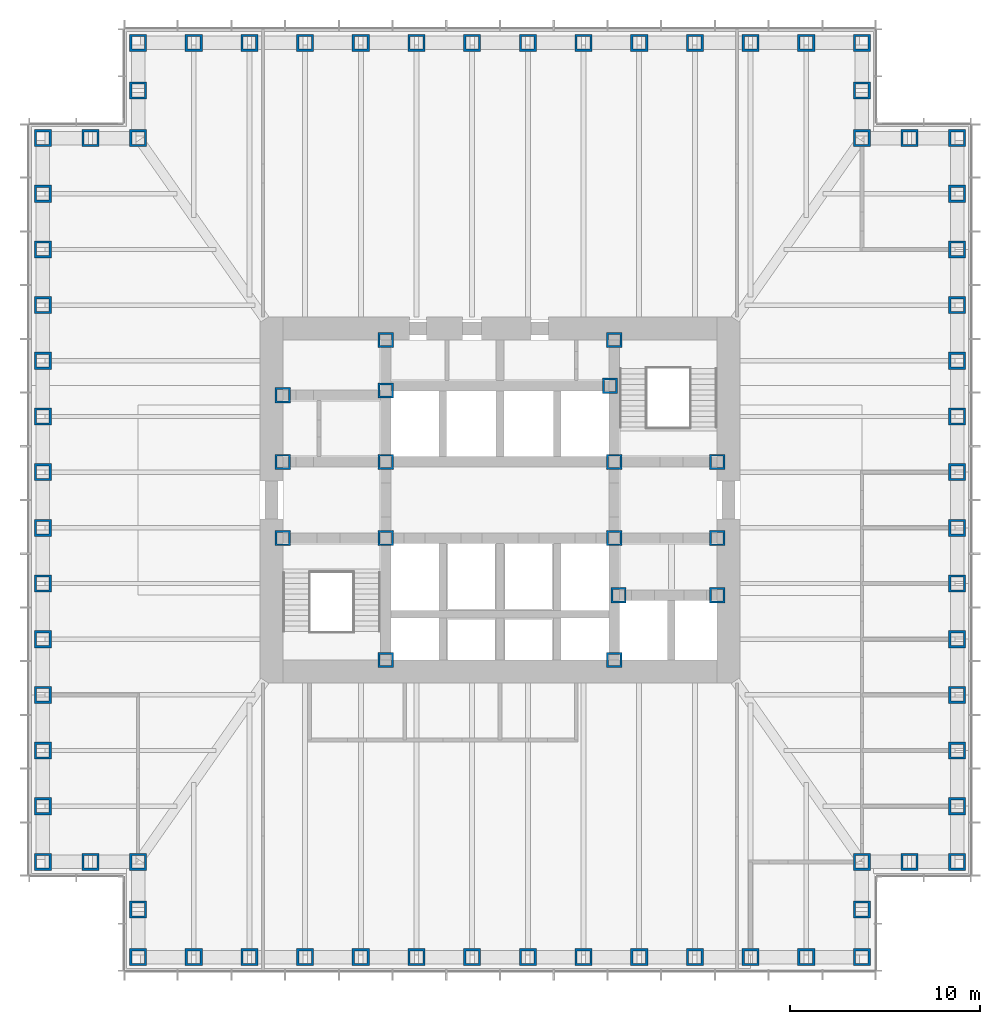
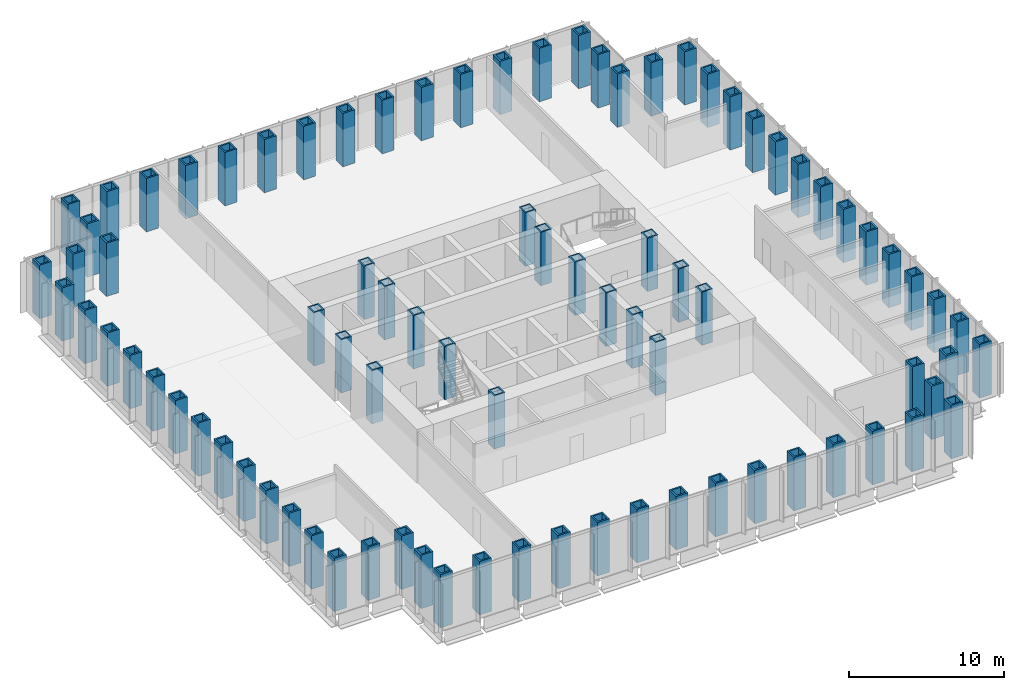
# One storey, part 1 of 16: 85 columns.
"""IFC4 building model written with IfcOpenShell, lengths in metres."""

from ifc_helpers import new_model, si_unit, direction, frame, origin, origin_2d, place, context, subcontext, project, spatial, hollow_rectangle, extrude, material, material_profile, profile_set, type_object, element, save


model = new_model("IFC4")

# Units and contexts
model_context = context("Model", 3, precision=1e-05, world=origin(), true_north=direction((0.0, 1.0)))
body_context = subcontext(model_context, "Body", "Model", "MODEL_VIEW")
ifc_project = project(units=[si_unit("LENGTHUNIT", "METRE"), si_unit("AREAUNIT", "SQUARE_METRE"), si_unit("VOLUMEUNIT", "CUBIC_METRE"), si_unit("PLANEANGLEUNIT", "RADIAN"), si_unit("MASSUNIT", "GRAM", prefix="KILO")], contexts=[model_context])

# Site, building, storey
site_placement = place(None, origin())
site = spatial("IfcSite", under=ifc_project, at=site_placement, CompositionType="ELEMENT")
building_placement = place(site_placement, origin())
building = spatial("IfcBuilding", under=site, at=building_placement, Name="Daluyong Arena Tower", CompositionType="ELEMENT")
storey_placement = place(building_placement, frame((0.0, 0.0, 76.89990234375)))
storey = spatial("IfcBuildingStorey", under=building, at=storey_placement, Name="L16", CompositionType="ELEMENT", Elevation=76.89990234375)

# Columns
ifc_material_1 = material(Name="Steel ASTM A572 Grade 50", Category="steel")
ifc_material_profile_1 = material_profile(ifc_material_1, hollow_rectangle(XDim=0.800048828125, YDim=0.800048828125, WallThickness=0.1, at=origin_2d()))
ifc_profile_set_1 = profile_set([ifc_material_profile_1], Name="Steel ASTM A572 Grade 50")
column_type_1 = type_object("IfcColumnType", Name="Core boundary column BX800X100", PredefinedType="COLUMN", material=ifc_profile_set_1)
for number, where, z_axis, x_axis, name in (
    (1, (44.60009765625, 78.0, 0.0), (0.0, 0.0, 1.0), (1.0, 0.0, 0.0), "core boundary column BC2"),
    (2, (44.60009765625, 82.0, 0.0), (0.0, 0.0, 1.0), (1.0, 0.0, 0.0), "core boundary column BC2"),
    (3, (44.60009765625, 85.5, 0.0), (0.0, 0.0, 1.0), (1.0, 0.0, 0.0), "core boundary column BC2"),
    (4, (50.0, 71.60009765625, 0.0), (0.0, 0.0, 1.0), (1.0, 0.0, 0.0), "core boundary column BC2"),
    (5, (50.0, 78.0, 0.0), (0.0, 0.0, 1.0), (1.0, 0.0, 0.0), "core boundary column BC2"),
    (6, (50.0, 82.0, 0.0), (0.0, 0.0, 1.0), (1.0, 0.0, 0.0), "core boundary column BC2"),
    (7, (50.0, 85.75, 0.0), (0.0, 0.0, 1.0), (1.0, 0.0, 0.0), "core boundary column BC2"),
    (8, (50.0, 88.39990234375, 0.0), (0.0, 0.0, 1.0), (1.0, 0.0, 0.0), "core boundary column BC2"),
    (9, (61.77490234375, 86.0, 0.0), (0.0, 0.0, 1.0), (1.0, 0.0, 0.0), "core boundary column BC2"),
    (10, (62.0, 71.60009765625, 0.0), (0.0, 0.0, 1.0), (1.0, 0.0, 0.0), "core boundary column BC2"),
    (11, (62.0, 78.0, 0.0), (0.0, 0.0, 1.0), (1.0, 0.0, 0.0), "core boundary column BC2"),
    (12, (62.0, 82.0, 0.0), (0.0, 0.0, 1.0), (1.0, 0.0, 0.0), "core boundary column BC2"),
    (13, (62.0, 88.39990234375, 0.0), (0.0, 0.0, 1.0), (1.0, 0.0, 0.0), "core boundary column BC2"),
    (14, (62.22509765625, 75.0, 0.0), (0.0, 0.0, 1.0), (1.0, 0.0, 0.0), "core boundary column BC2"),
    (15, (67.39990234375, 75.0, 0.0), (0.0, 0.0, 1.0), (1.0, 0.0, 0.0), "core boundary column BC2"),
    (16, (67.39990234375, 78.0, 0.0), (0.0, 0.0, 1.0), (1.0, 0.0, 0.0), "core boundary column BC2"),
    (17, (67.39990234375, 82.0, 0.0), (0.0, 0.0, 1.0), (1.0, 0.0, 0.0), "core boundary column BC2"),
):
    element("IfcColumn", number, at=place(storey_placement, frame(where, z_axis=z_axis, x_axis=x_axis)), inside=storey, type_object=column_type_1, Name=name, PredefinedType="COLUMN", context=body_context, shape_type="SweptSolid", body=[
        extrude(hollow_rectangle(XDim=0.800048828125, YDim=0.800048828125, WallThickness=0.1, at=origin_2d()), origin(), (0.0, 0.0, 1.0), 4.2001953125),
    ])
ifc_material_2 = material(Name="Steel ASTM A588 Grade 50", Category="steel")
ifc_material_profile_2 = material_profile(ifc_material_2, hollow_rectangle(XDim=0.89990234375, YDim=0.89990234375, WallThickness=0.12, at=origin_2d()))
ifc_profile_set_2 = profile_set([ifc_material_profile_2], Name="Steel ASTM A588 Grade 50")
column_type_2 = type_object("IfcColumnType", Name="Tube column BX900X120 BX900X120", PredefinedType="COLUMN", material=ifc_profile_set_2)
for number, where, z_axis, x_axis, name in (
    (18, (37.0, 56.0, 0.0), (0.0, 0.0, 1.0), (1.0, 0.0, 0.0), "tube column bx900x120 TC4"),
    (19, (39.923095703125, 56.0, 0.0), (0.0, 0.0, 1.0), (1.0, 0.0, 0.0), "tube column bx900x120 TC4"),
    (20, (42.84619140625, 56.0, 0.0), (0.0, 0.0, 1.0), (1.0, 0.0, 0.0), "tube column bx900x120 TC4"),
    (21, (45.769287109375, 56.0, 0.0), (0.0, 0.0, 1.0), (1.0, 0.0, 0.0), "tube column bx900x120 TC4"),
    (22, (48.6923828125, 56.0, 0.0), (0.0, 0.0, 1.0), (1.0, 0.0, 0.0), "tube column bx900x120 TC4"),
    (23, (51.615478515625, 56.0, 0.0), (0.0, 0.0, 1.0), (1.0, 0.0, 0.0), "tube column bx900x120 TC4"),
    (24, (54.53857421875, 56.0, 0.0), (0.0, 0.0, 1.0), (1.0, 0.0, 0.0), "tube column bx900x120 TC4"),
    (25, (57.46142578125, 56.0, 0.0), (0.0, 0.0, 1.0), (1.0, 0.0, 0.0), "tube column bx900x120 TC4"),
    (26, (60.384521484375, 56.0, 0.0), (0.0, 0.0, 1.0), (1.0, 0.0, 0.0), "tube column bx900x120 TC4"),
    (27, (63.3076171875, 56.0, 0.0), (0.0, 0.0, 1.0), (1.0, 0.0, 0.0), "tube column bx900x120 TC4"),
    (28, (66.230712890625, 56.0, 0.0), (0.0, 0.0, 1.0), (1.0, 0.0, 0.0), "tube column bx900x120 TC4"),
    (29, (69.15380859375, 56.0, 0.0), (0.0, 0.0, 1.0), (1.0, 0.0, 0.0), "tube column bx900x120 TC4"),
    (30, (72.076904296875, 56.0, 0.0), (0.0, 0.0, 1.0), (1.0, 0.0, 0.0), "tube column bx900x120 TC4"),
    (31, (75.0, 56.0, 0.0), (0.0, 0.0, 1.0), (0.0, 1.0, 0.0), "tube column bx900x120 TC4"),
    (32, (75.0, 58.5, 0.0), (0.0, 0.0, 1.0), (0.0, 1.0, 0.0), "tube column bx900x120 TC4"),
    (33, (75.0, 61.0, 0.0), (0.0, 0.0, 1.0), (1.0, 0.0, 0.0), "tube column bx900x120 TC4"),
    (34, (77.5, 61.0, 0.0), (0.0, 0.0, 1.0), (1.0, 0.0, 0.0), "tube column bx900x120 TC4"),
    (35, (80.0, 61.0, 0.0), (0.0, 0.0, 1.0), (0.0, 1.0, 0.0), "tube column bx900x120 TC4"),
    (36, (80.0, 63.923095703125, 0.0), (0.0, 0.0, 1.0), (0.0, 1.0, 0.0), "tube column bx900x120 TC4"),
    (37, (80.0, 66.84619140625, 0.0), (0.0, 0.0, 1.0), (0.0, 1.0, 0.0), "tube column bx900x120 TC4"),
    (38, (80.0, 69.769287109375, 0.0), (0.0, 0.0, 1.0), (0.0, 1.0, 0.0), "tube column bx900x120 TC4"),
    (39, (80.0, 72.6923828125, 0.0), (0.0, 0.0, 1.0), (0.0, 1.0, 0.0), "tube column bx900x120 TC4"),
    (40, (80.0, 75.615478515625, 0.0), (0.0, 0.0, 1.0), (0.0, 1.0, 0.0), "tube column bx900x120 TC4"),
    (41, (80.0, 78.53857421875, 0.0), (0.0, 0.0, 1.0), (0.0, 1.0, 0.0), "tube column bx900x120 TC4"),
    (42, (80.0, 81.46142578125, 0.0), (0.0, 0.0, 1.0), (0.0, 1.0, 0.0), "tube column bx900x120 TC4"),
    (43, (80.0, 84.384521484375, 0.0), (0.0, 0.0, 1.0), (0.0, 1.0, 0.0), "tube column bx900x120 TC4"),
    (44, (80.0, 87.3076171875, 0.0), (0.0, 0.0, 1.0), (0.0, 1.0, 0.0), "tube column bx900x120 TC4"),
    (45, (80.0, 90.230712890625, 0.0), (0.0, 0.0, 1.0), (0.0, 1.0, 0.0), "tube column bx900x120 TC4"),
    (46, (80.0, 93.15380859375, 0.0), (0.0, 0.0, 1.0), (0.0, 1.0, 0.0), "tube column bx900x120 TC4"),
    (47, (80.0, 96.076904296875, 0.0), (0.0, 0.0, 1.0), (0.0, 1.0, 0.0), "tube column bx900x120 TC4"),
    (48, (80.0, 99.0, 0.0), (0.0, 0.0, 1.0), (1.0, 0.0, 0.0), "tube column bx900x120 TC4"),
    (49, (77.5, 99.0, 0.0), (0.0, 0.0, 1.0), (1.0, 0.0, 0.0), "tube column bx900x120 TC4"),
    (50, (75.0, 99.0, 0.0), (0.0, 0.0, 1.0), (0.0, 1.0, 0.0), "tube column bx900x120 TC4"),
    (51, (75.0, 101.5, 0.0), (0.0, 0.0, 1.0), (0.0, 1.0, 0.0), "tube column bx900x120 TC4"),
    (52, (75.0, 104.0, 0.0), (0.0, 0.0, 1.0), (1.0, 0.0, 0.0), "tube column bx900x120 TC4"),
    (53, (72.076904296875, 104.0, 0.0), (0.0, 0.0, 1.0), (1.0, 0.0, 0.0), "tube column bx900x120 TC4"),
    (54, (69.15380859375, 104.0, 0.0), (0.0, 0.0, 1.0), (1.0, 0.0, 0.0), "tube column bx900x120 TC4"),
    (55, (66.230712890625, 104.0, 0.0), (0.0, 0.0, 1.0), (1.0, 0.0, 0.0), "tube column bx900x120 TC4"),
    (56, (63.3076171875, 104.0, 0.0), (0.0, 0.0, 1.0), (1.0, 0.0, 0.0), "tube column bx900x120 TC4"),
    (57, (60.384521484375, 104.0, 0.0), (0.0, 0.0, 1.0), (1.0, 0.0, 0.0), "tube column bx900x120 TC4"),
    (58, (57.46142578125, 104.0, 0.0), (0.0, 0.0, 1.0), (1.0, 0.0, 0.0), "tube column bx900x120 TC4"),
    (59, (54.53857421875, 104.0, 0.0), (0.0, 0.0, 1.0), (1.0, 0.0, 0.0), "tube column bx900x120 TC4"),
    (60, (51.615478515625, 104.0, 0.0), (0.0, 0.0, 1.0), (1.0, 0.0, 0.0), "tube column bx900x120 TC4"),
    (61, (48.6923828125, 104.0, 0.0), (0.0, 0.0, 1.0), (1.0, 0.0, 0.0), "tube column bx900x120 TC4"),
    (62, (45.769287109375, 104.0, 0.0), (0.0, 0.0, 1.0), (1.0, 0.0, 0.0), "tube column bx900x120 TC4"),
    (63, (42.84619140625, 104.0, 0.0), (0.0, 0.0, 1.0), (1.0, 0.0, 0.0), "tube column bx900x120 TC4"),
    (64, (39.923095703125, 104.0, 0.0), (0.0, 0.0, 1.0), (1.0, 0.0, 0.0), "tube column bx900x120 TC4"),
    (65, (37.0, 104.0, 0.0), (0.0, 0.0, 1.0), (0.0, 1.0, 0.0), "tube column bx900x120 TC4"),
    (66, (37.0, 101.5, 0.0), (0.0, 0.0, 1.0), (0.0, 1.0, 0.0), "tube column bx900x120 TC4"),
    (67, (37.0, 99.0, 0.0), (0.0, 0.0, 1.0), (1.0, 0.0, 0.0), "tube column bx900x120 TC4"),
    (68, (34.5, 99.0, 0.0), (0.0, 0.0, 1.0), (1.0, 0.0, 0.0), "tube column bx900x120 TC4"),
    (69, (32.0, 99.0, 0.0), (0.0, 0.0, 1.0), (0.0, 1.0, 0.0), "tube column bx900x120 TC4"),
    (70, (32.0, 96.076904296875, 0.0), (0.0, 0.0, 1.0), (0.0, 1.0, 0.0), "tube column bx900x120 TC4"),
    (71, (32.0, 93.15380859375, 0.0), (0.0, 0.0, 1.0), (0.0, 1.0, 0.0), "tube column bx900x120 TC4"),
    (72, (32.0, 90.230712890625, 0.0), (0.0, 0.0, 1.0), (0.0, 1.0, 0.0), "tube column bx900x120 TC4"),
    (73, (32.0, 87.3076171875, 0.0), (0.0, 0.0, 1.0), (0.0, 1.0, 0.0), "tube column bx900x120 TC4"),
    (74, (32.0, 84.384521484375, 0.0), (0.0, 0.0, 1.0), (0.0, 1.0, 0.0), "tube column bx900x120 TC4"),
    (75, (32.0, 81.46142578125, 0.0), (0.0, 0.0, 1.0), (0.0, 1.0, 0.0), "tube column bx900x120 TC4"),
    (76, (32.0, 78.53857421875, 0.0), (0.0, 0.0, 1.0), (0.0, 1.0, 0.0), "tube column bx900x120 TC4"),
    (77, (32.0, 75.615478515625, 0.0), (0.0, 0.0, 1.0), (0.0, 1.0, 0.0), "tube column bx900x120 TC4"),
    (78, (32.0, 72.6923828125, 0.0), (0.0, 0.0, 1.0), (0.0, 1.0, 0.0), "tube column bx900x120 TC4"),
    (79, (32.0, 69.769287109375, 0.0), (0.0, 0.0, 1.0), (0.0, 1.0, 0.0), "tube column bx900x120 TC4"),
    (80, (32.0, 66.84619140625, 0.0), (0.0, 0.0, 1.0), (0.0, 1.0, 0.0), "tube column bx900x120 TC4"),
    (81, (32.0, 63.923095703125, 0.0), (0.0, 0.0, 1.0), (0.0, 1.0, 0.0), "tube column bx900x120 TC4"),
    (82, (32.0, 61.0, 0.0), (0.0, 0.0, 1.0), (1.0, 0.0, 0.0), "tube column bx900x120 TC4"),
    (83, (34.5, 61.0, 0.0), (0.0, 0.0, 1.0), (1.0, 0.0, 0.0), "tube column bx900x120 TC4"),
    (84, (37.0, 61.0, 0.0), (0.0, 0.0, 1.0), (0.0, 1.0, 0.0), "tube column bx900x120 TC4"),
    (85, (37.0, 58.5, 0.0), (0.0, 0.0, 1.0), (0.0, 1.0, 0.0), "tube column bx900x120 TC4"),
):
    element("IfcColumn", number, at=place(storey_placement, frame(where, z_axis=z_axis, x_axis=x_axis)), inside=storey, type_object=column_type_2, Name=name, PredefinedType="COLUMN", context=body_context, shape_type="SweptSolid", body=[
        extrude(hollow_rectangle(XDim=0.89990234375, YDim=0.89990234375, WallThickness=0.12, at=origin_2d()), origin(), (0.0, 0.0, 1.0), 4.2001953125),
    ])

save(model, "model.ifc")
